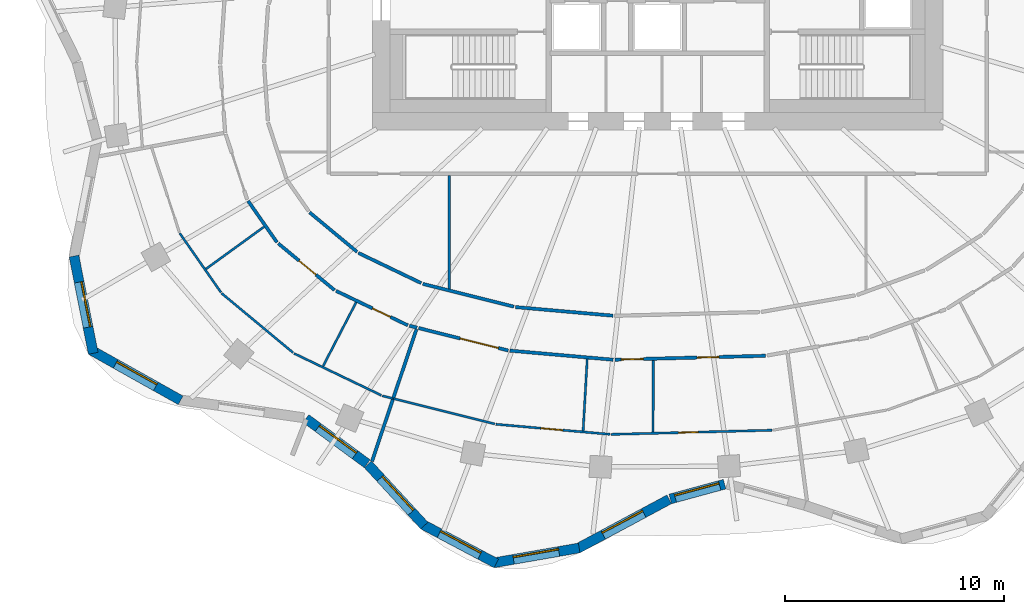
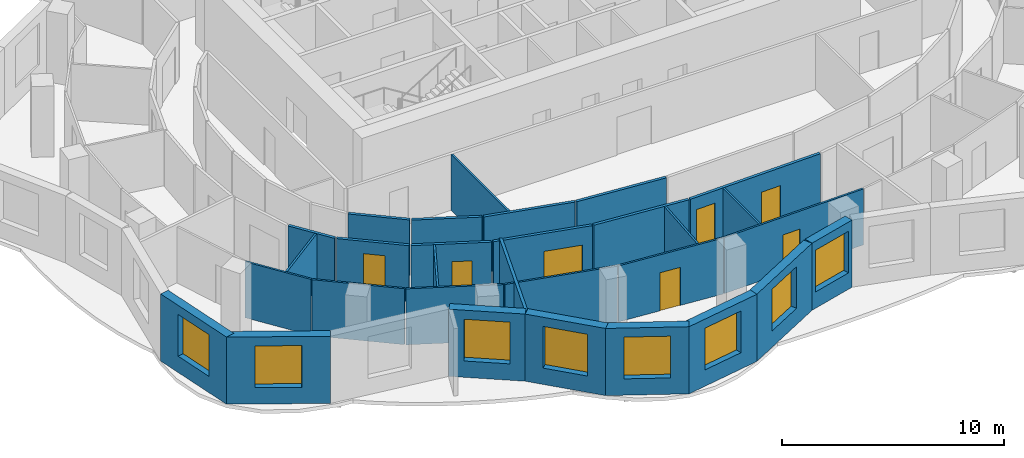
# One storey, part 3 of 11: 32 walls, 8 windows, 7 doors, 15 openings.
"""IFC4 building model written with IfcOpenShell, lengths in metres."""

from ifc_helpers import new_model, si_unit, direction, frame, frame_2d, origin, place, context, subcontext, project, spatial, rectangle, extrude, material, layer, layer_set, type_object, element, fill, save


model = new_model("IFC4")

# Units and contexts
model_context = context("Model", 3, precision=1e-05, world=origin(), true_north=direction((0.0, 1.0)))
body_context = subcontext(model_context, "Body", "Model", "MODEL_VIEW")
ifc_project = project(units=[si_unit("LENGTHUNIT", "METRE"), si_unit("AREAUNIT", "SQUARE_METRE"), si_unit("VOLUMEUNIT", "CUBIC_METRE"), si_unit("PLANEANGLEUNIT", "RADIAN"), si_unit("MASSUNIT", "GRAM", prefix="KILO")], contexts=[model_context])

# Site, building, storey
site_placement = place(None, origin())
site = spatial("IfcSite", under=ifc_project, at=site_placement, CompositionType="ELEMENT")
building_placement = place(site_placement, origin())
building = spatial("IfcBuilding", under=site, at=building_placement, Name="Rubra Terraces Tower", CompositionType="ELEMENT")
storey_placement = place(building_placement, frame((0.0, 0.0, 174.0)))
storey = spatial("IfcBuildingStorey", under=building, at=storey_placement, Name="L42", CompositionType="ELEMENT", Elevation=174.0)

# Wall, opening, window
ifc_material_1 = material(Name="Brick masonry red-brown", Category="masonry")
ifc_layer_1 = layer(ifc_material_1, 0.449951171875)
ifc_layer_set_1 = layer_set([ifc_layer_1], Name="Brick masonry red-brown")
wall_type_1 = type_object("IfcWallType", Name="Brick facade wall 450", PredefinedType="SOLIDWALL", material=ifc_layer_set_1)
wall_1_placement = place(storey_placement, frame((-26.609619140625, -8.747802734375, 0.0), z_axis=(0.0, 0.0, 1.0), x_axis=(0.193923166402, -0.981016720312, 0.0)))
wall_1 = element("IfcWall", 1, at=wall_1_placement, inside=storey, type_object=wall_type_1, Name="Facade wall L42 bay 23", PredefinedType="SOLIDWALL", context=body_context, shape_type="SweptSolid", body=[
    extrude(rectangle(XDim=4.518310546875, YDim=0.449951171875, at=frame_2d((2.25927734375, 0.0))), origin(), (0.0, 0.0, 1.0), 3.699951171875),
])
opening_1_placement = place(wall_1_placement, frame((1.209228515625, 0.0, 0.89990234375)))
opening_1 = element("IfcOpeningElement", 2, at=opening_1_placement, cuts=wall_1, Name="Opening W1B", PredefinedType="OPENING", context=body_context, shape_type="SweptSolid", body=[
    extrude(rectangle(XDim=2.10009765625, YDim=2.300048828125, at=frame_2d((1.050048828125, 1.14990234375))), frame((0.0, 0.23486328125, 0.0), z_axis=(0.0, -1.0, 0.0), x_axis=(1.0, 0.0, 0.0)), (0.0, 0.0, 1.0), 0.469970703125),
])
ifc_material_2 = material(Name="Clear glass in aluminium frame", Category="aluminium")
window_type = type_object("IfcWindowType", Name="Fixed deep-set window tall storey 2100 x 2300", PartitioningType="SINGLE_PANEL", PredefinedType="WINDOW", material=ifc_material_2)
window_1_placement = place(opening_1_placement, origin())
window_1 = element("IfcWindow", 3, at=window_1_placement, inside=storey, type_object=window_type, Name="Window L42 bay 23", OverallHeight=2.300048828125, OverallWidth=2.10009765625, PartitioningType="SINGLE_PANEL", PredefinedType="WINDOW", context=body_context, shape_type="SweptSolid", body=[
    extrude(rectangle(XDim=2.10009765625, YDim=2.300048828125, at=frame_2d((1.050048828125, 1.14990234375))), frame((0.0, 0.135009765625, 0.0), z_axis=(0.0, -1.0, 0.0), x_axis=(1.0, 0.0, 0.0)), (0.0, 0.0, 1.0), 0.06005859375),
])
fill(opening_1, window_1)

wall_2_placement = place(storey_placement, frame((-25.843994140625, -13.027587890625, 0.0), z_axis=(0.0, 0.0, 1.0), x_axis=(0.872346398261, -0.488888291373, 0.0)))
wall_2 = element("IfcWall", 4, at=wall_2_placement, inside=storey, type_object=wall_type_1, Name="Facade wall L42 bay 24", PredefinedType="SOLIDWALL", context=body_context, shape_type="SweptSolid", body=[
    extrude(rectangle(XDim=4.696044921875, YDim=0.449951171875, at=frame_2d((2.34814453125, 0.0))), origin(), (0.0, 0.0, 1.0), 3.699951171875),
])
opening_2_placement = place(wall_2_placement, frame((1.298095703125, 0.0, 0.89990234375)))
opening_2 = element("IfcOpeningElement", 5, at=opening_2_placement, cuts=wall_2, Name="Opening W1B", PredefinedType="OPENING", context=body_context, shape_type="SweptSolid", body=[
    extrude(rectangle(XDim=2.10009765625, YDim=2.300048828125, at=frame_2d((1.050048828125, 1.14990234375))), frame((0.0, 0.23486328125, 0.0), z_axis=(0.0, -1.0, 0.0), x_axis=(1.0, 0.0, 0.0)), (0.0, 0.0, 1.0), 0.469970703125),
])
window_2_placement = place(opening_2_placement, origin())
window_2 = element("IfcWindow", 6, at=window_2_placement, inside=storey, type_object=window_type, Name="Window L42 bay 24", OverallHeight=2.300048828125, OverallWidth=2.10009765625, PartitioningType="SINGLE_PANEL", PredefinedType="WINDOW", context=body_context, shape_type="SweptSolid", body=[
    extrude(rectangle(XDim=2.10009765625, YDim=2.300048828125, at=frame_2d((1.050048828125, 1.14990234375))), frame((0.0, 0.135009765625, 0.0), z_axis=(0.0, -1.0, 0.0), x_axis=(1.0, 0.0, 0.0)), (0.0, 0.0, 1.0), 0.06005859375),
])
fill(opening_2, window_2)

wall_3_placement = place(storey_placement, frame((-16.03564453125, -16.15771484375, 0.0), z_axis=(0.0, 0.0, 1.0), x_axis=(0.805181432967, -0.593028549064, 0.0)))
wall_3 = element("IfcWall", 7, at=wall_3_placement, inside=storey, type_object=wall_type_1, Name="Facade wall L42 bay 26", PredefinedType="SOLIDWALL", context=body_context, shape_type="SweptSolid", body=[
    extrude(rectangle(XDim=3.468505859375, YDim=0.449951171875, at=frame_2d((1.734375, 0.0))), origin(), (0.0, 0.0, 1.0), 3.699951171875),
])
opening_3_placement = place(wall_3_placement, frame((0.684326171875, 0.0, 0.89990234375)))
opening_3 = element("IfcOpeningElement", 8, at=opening_3_placement, cuts=wall_3, Name="Opening W1B", PredefinedType="OPENING", context=body_context, shape_type="SweptSolid", body=[
    extrude(rectangle(XDim=2.10009765625, YDim=2.300048828125, at=frame_2d((1.050048828125, 1.14990234375))), frame((0.0, 0.23486328125, 0.0), z_axis=(0.0, -1.0, 0.0), x_axis=(1.0, 0.0, 0.0)), (0.0, 0.0, 1.0), 0.469970703125),
])
window_3_placement = place(opening_3_placement, origin())
window_3 = element("IfcWindow", 9, at=window_3_placement, inside=storey, type_object=window_type, Name="Window L42 bay 26", OverallHeight=2.300048828125, OverallWidth=2.10009765625, PartitioningType="SINGLE_PANEL", PredefinedType="WINDOW", context=body_context, shape_type="SweptSolid", body=[
    extrude(rectangle(XDim=2.10009765625, YDim=2.300048828125, at=frame_2d((1.050048828125, 1.14990234375))), frame((0.0, 0.135009765625, 0.0), z_axis=(0.0, -1.0, 0.0), x_axis=(1.0, 0.0, 0.0)), (0.0, 0.0, 1.0), 0.06005859375),
])
fill(opening_3, window_3)

wall_4_placement = place(storey_placement, frame((-13.20947265625, -18.242919921875, 0.0), z_axis=(0.0, 0.0, 1.0), x_axis=(0.677612152497, -0.735419452278, 0.0)))
wall_4 = element("IfcWall", 10, at=wall_4_placement, inside=storey, type_object=wall_type_1, Name="Facade wall L42 bay 27", PredefinedType="SOLIDWALL", context=body_context, shape_type="SweptSolid", body=[
    extrude(rectangle(XDim=3.796875, YDim=0.449951171875, at=frame_2d((1.8984375, 0.0))), origin(), (0.0, 0.0, 1.0), 3.699951171875),
])
opening_4_placement = place(wall_4_placement, frame((0.848388671875, 0.0, 0.89990234375)))
opening_4 = element("IfcOpeningElement", 11, at=opening_4_placement, cuts=wall_4, Name="Opening W1B", PredefinedType="OPENING", context=body_context, shape_type="SweptSolid", body=[
    extrude(rectangle(XDim=2.10009765625, YDim=2.300048828125, at=frame_2d((1.050048828125, 1.14990234375))), frame((0.0, 0.23486328125, 0.0), z_axis=(0.0, -1.0, 0.0), x_axis=(1.0, 0.0, 0.0)), (0.0, 0.0, 1.0), 0.469970703125),
])
window_4_placement = place(opening_4_placement, origin())
window_4 = element("IfcWindow", 12, at=window_4_placement, inside=storey, type_object=window_type, Name="Window L42 bay 27", OverallHeight=2.300048828125, OverallWidth=2.10009765625, PartitioningType="SINGLE_PANEL", PredefinedType="WINDOW", context=body_context, shape_type="SweptSolid", body=[
    extrude(rectangle(XDim=2.10009765625, YDim=2.300048828125, at=frame_2d((1.050048828125, 1.14990234375))), frame((0.0, 0.135009765625, 0.0), z_axis=(0.0, -1.0, 0.0), x_axis=(1.0, 0.0, 0.0)), (0.0, 0.0, 1.0), 0.06005859375),
])
fill(opening_4, window_4)

wall_5_placement = place(storey_placement, frame((-10.692626953125, -20.9931640625, 0.0), z_axis=(0.0, 0.0, 1.0), x_axis=(0.883817790726, -0.46783128668, 0.0)))
wall_5 = element("IfcWall", 13, at=wall_5_placement, inside=storey, type_object=wall_type_1, Name="Facade wall L42 bay 28", PredefinedType="SOLIDWALL", context=body_context, shape_type="SweptSolid", body=[
    extrude(rectangle(XDim=3.776611328125, YDim=0.449951171875, at=frame_2d((1.88818359375, 0.0))), origin(), (0.0, 0.0, 1.0), 3.699951171875),
])
opening_5_placement = place(wall_5_placement, frame((0.83837890625, 0.0, 0.89990234375)))
opening_5 = element("IfcOpeningElement", 14, at=opening_5_placement, cuts=wall_5, Name="Opening W1B", PredefinedType="OPENING", context=body_context, shape_type="SweptSolid", body=[
    extrude(rectangle(XDim=2.10009765625, YDim=2.300048828125, at=frame_2d((1.050048828125, 1.14990234375))), frame((0.0, 0.23486328125, 0.0), z_axis=(0.0, -1.0, 0.0), x_axis=(1.0, 0.0, 0.0)), (0.0, 0.0, 1.0), 0.469970703125),
])
window_5_placement = place(opening_5_placement, origin())
window_5 = element("IfcWindow", 15, at=window_5_placement, inside=storey, type_object=window_type, Name="Window L42 bay 28", OverallHeight=2.300048828125, OverallWidth=2.10009765625, PartitioningType="SINGLE_PANEL", PredefinedType="WINDOW", context=body_context, shape_type="SweptSolid", body=[
    extrude(rectangle(XDim=2.10009765625, YDim=2.300048828125, at=frame_2d((1.050048828125, 1.14990234375))), frame((0.0, 0.135009765625, 0.0), z_axis=(0.0, -1.0, 0.0), x_axis=(1.0, 0.0, 0.0)), (0.0, 0.0, 1.0), 0.06005859375),
])
fill(opening_5, window_5)

wall_6_placement = place(storey_placement, frame((-7.49853515625, -22.7373046875, 0.0), z_axis=(0.0, 0.0, 1.0), x_axis=(0.98521220506, 0.171338585849, 0.0)))
wall_6 = element("IfcWall", 16, at=wall_6_placement, inside=storey, type_object=wall_type_1, Name="Facade wall L42 bay 29", PredefinedType="SOLIDWALL", context=body_context, shape_type="SweptSolid", body=[
    extrude(rectangle(XDim=3.979736328125, YDim=0.449951171875, at=frame_2d((1.98974609375, 0.0))), origin(), (0.0, 0.0, 1.0), 3.699951171875),
])
opening_6_placement = place(wall_6_placement, frame((0.93994140625, 0.0, 0.89990234375)))
opening_6 = element("IfcOpeningElement", 17, at=opening_6_placement, cuts=wall_6, Name="Opening W1B", PredefinedType="OPENING", context=body_context, shape_type="SweptSolid", body=[
    extrude(rectangle(XDim=2.10009765625, YDim=2.300048828125, at=frame_2d((1.050048828125, 1.14990234375))), frame((0.0, 0.23486328125, 0.0), z_axis=(0.0, -1.0, 0.0), x_axis=(1.0, 0.0, 0.0)), (0.0, 0.0, 1.0), 0.469970703125),
])
window_6_placement = place(opening_6_placement, origin())
window_6 = element("IfcWindow", 18, at=window_6_placement, inside=storey, type_object=window_type, Name="Window L42 bay 29", OverallHeight=2.300048828125, OverallWidth=2.10009765625, PartitioningType="SINGLE_PANEL", PredefinedType="WINDOW", context=body_context, shape_type="SweptSolid", body=[
    extrude(rectangle(XDim=2.10009765625, YDim=2.300048828125, at=frame_2d((1.050048828125, 1.14990234375))), frame((0.0, 0.135009765625, 0.0), z_axis=(0.0, -1.0, 0.0), x_axis=(1.0, 0.0, 0.0)), (0.0, 0.0, 1.0), 0.06005859375),
])
fill(opening_6, window_6)

wall_7_placement = place(storey_placement, frame((-3.6455078125, -22.07861328125, 0.0), z_axis=(0.0, 0.0, 1.0), x_axis=(0.881279133897, 0.472596115259, 0.0)))
wall_7 = element("IfcWall", 19, at=wall_7_placement, inside=storey, type_object=wall_type_1, Name="Facade wall L42 bay 30", PredefinedType="SOLIDWALL", context=body_context, shape_type="SweptSolid", body=[
    extrude(rectangle(XDim=4.736572265625, YDim=0.449951171875, at=frame_2d((2.3681640625, 0.0))), origin(), (0.0, 0.0, 1.0), 3.699951171875),
])
opening_7_placement = place(wall_7_placement, frame((1.318115234375, 0.0, 0.89990234375)))
opening_7 = element("IfcOpeningElement", 20, at=opening_7_placement, cuts=wall_7, Name="Opening W1B", PredefinedType="OPENING", context=body_context, shape_type="SweptSolid", body=[
    extrude(rectangle(XDim=2.10009765625, YDim=2.300048828125, at=frame_2d((1.050048828125, 1.14990234375))), frame((0.0, 0.23486328125, 0.0), z_axis=(0.0, -1.0, 0.0), x_axis=(1.0, 0.0, 0.0)), (0.0, 0.0, 1.0), 0.469970703125),
])
window_7_placement = place(opening_7_placement, origin())
window_7 = element("IfcWindow", 21, at=window_7_placement, inside=storey, type_object=window_type, Name="Window L42 bay 30", OverallHeight=2.300048828125, OverallWidth=2.10009765625, PartitioningType="SINGLE_PANEL", PredefinedType="WINDOW", context=body_context, shape_type="SweptSolid", body=[
    extrude(rectangle(XDim=2.10009765625, YDim=2.300048828125, at=frame_2d((1.050048828125, 1.14990234375))), frame((0.0, 0.135009765625, 0.0), z_axis=(0.0, -1.0, 0.0), x_axis=(1.0, 0.0, 0.0)), (0.0, 0.0, 1.0), 0.06005859375),
])
fill(opening_7, window_7)

wall_8_placement = place(storey_placement, frame((0.576171875, -19.8212890625, 0.0), z_axis=(0.0, 0.0, 1.0), x_axis=(0.965009398019, 0.262215296532, 0.0)))
wall_8 = element("IfcWall", 22, at=wall_8_placement, inside=storey, type_object=wall_type_1, Name="Facade wall L42 bay 31", PredefinedType="SOLIDWALL", context=body_context, shape_type="SweptSolid", body=[
    extrude(rectangle(XDim=2.565185546875, YDim=0.449951171875, at=frame_2d((1.28271484375, 0.0))), origin(), (0.0, 0.0, 1.0), 3.699951171875),
])
opening_8_placement = place(wall_8_placement, frame((0.232666015625, 0.0, 0.89990234375)))
opening_8 = element("IfcOpeningElement", 23, at=opening_8_placement, cuts=wall_8, Name="Opening W1B", PredefinedType="OPENING", context=body_context, shape_type="SweptSolid", body=[
    extrude(rectangle(XDim=2.10009765625, YDim=2.300048828125, at=frame_2d((1.050048828125, 1.14990234375))), frame((0.0, 0.23486328125, 0.0), z_axis=(0.0, -1.0, 0.0), x_axis=(1.0, 0.0, 0.0)), (0.0, 0.0, 1.0), 0.469970703125),
])
window_8_placement = place(opening_8_placement, origin())
window_8 = element("IfcWindow", 24, at=window_8_placement, inside=storey, type_object=window_type, Name="Window L42 bay 31", OverallHeight=2.300048828125, OverallWidth=2.10009765625, PartitioningType="SINGLE_PANEL", PredefinedType="WINDOW", context=body_context, shape_type="SweptSolid", body=[
    extrude(rectangle(XDim=2.10009765625, YDim=2.300048828125, at=frame_2d((1.050048828125, 1.14990234375))), frame((0.0, 0.135009765625, 0.0), z_axis=(0.0, -1.0, 0.0), x_axis=(1.0, 0.0, 0.0)), (0.0, 0.0, 1.0), 0.06005859375),
])
fill(opening_8, window_8)

# Wall
ifc_material_3 = material(Name="Plasterboard on steel stud, mineral wool infill", Category="steel")
ifc_layer_2 = layer(ifc_material_3, 0.14990234375)
ifc_layer_set_2 = layer_set([ifc_layer_2], Name="Plasterboard on steel stud, mineral wool infill")
wall_type_2 = type_object("IfcWallType", Name="CORRIDOR PARTITION 150", PredefinedType="PARTITIONING", material=ifc_layer_set_2)
wall_9_placement = place(storey_placement, frame((-18.673828125, -6.231689453125, 0.0), z_axis=(0.0, 0.0, 1.0), x_axis=(0.572118665737, -0.820170855563, 0.0)))
element("IfcWall", 25, at=wall_9_placement, inside=storey, type_object=wall_type_2, Name="PARTITION", PredefinedType="PARTITIONING", context=body_context, shape_type="SweptSolid", body=[
    extrude(rectangle(XDim=2.30615234375, YDim=0.14990234375, at=frame_2d((1.153076171875, 0.0))), origin(), (0.0, 0.0, 1.0), 3.083984375),
])

# Wall, opening, door
wall_10_placement = place(storey_placement, frame((-17.296875, -8.1708984375, 0.0), z_axis=(0.0, 0.0, 1.0), x_axis=(0.769228575061, -0.638973707839, 0.0)))
wall_10 = element("IfcWall", 26, at=wall_10_placement, inside=storey, type_object=wall_type_2, Name="PARTITION", PredefinedType="PARTITIONING", context=body_context, shape_type="SweptSolid", body=[
    extrude(rectangle(XDim=3.33447265625, YDim=0.14990234375, at=frame_2d((1.667236328125, 0.0))), origin(), (0.0, 0.0, 1.0), 3.083984375),
])
opening_9_placement = place(wall_10_placement, frame((1.23388671875, 0.0, 0.0)))
opening_9 = element("IfcOpeningElement", 27, at=opening_9_placement, cuts=wall_10, Name="Opening 42-115", PredefinedType="OPENING", context=body_context, shape_type="SweptSolid", body=[
    extrude(rectangle(XDim=1.0, YDim=2.39990234375, at=frame_2d((0.5, 1.199951171875))), frame((0.0, 0.0849609375, 0.0), z_axis=(0.0, -1.0, 0.0), x_axis=(1.0, 0.0, 0.0)), (0.0, 0.0, 1.0), 0.169921875),
])
ifc_material_4 = material(Name="Glazed aluminium meeting door leaf", Category="aluminium")
door_type_1 = type_object("IfcDoorType", Name="MEETING ROOM GLAZED DOOR 1000 X 2400", OperationType="SINGLE_SWING_LEFT", PredefinedType="DOOR", material=ifc_material_4)
door_1_placement = place(opening_9_placement, origin())
door_1 = element("IfcDoor", 28, at=door_1_placement, inside=storey, type_object=door_type_1, Name="DOOR 42-115", OperationType="SINGLE_SWING_RIGHT", OverallHeight=2.39990234375, OverallWidth=1.0, PredefinedType="DOOR", context=body_context, shape_type="SweptSolid", body=[
    extrude(rectangle(XDim=1.0, YDim=2.39990234375, at=frame_2d((0.5, 1.199951171875))), frame((0.0, 0.02490234375, 0.0), z_axis=(0.0, -1.0, 0.0), x_axis=(1.0, 0.0, 0.0)), (0.0, 0.0, 1.0), 0.050048828125),
])
fill(opening_9, door_1)

wall_11_placement = place(storey_placement, frame((-14.664306640625, -10.333984375, 0.0), z_axis=(0.0, 0.0, 1.0), x_axis=(0.901507315282, -0.432763862278, 0.0)))
wall_11 = element("IfcWall", 29, at=wall_11_placement, inside=storey, type_object=wall_type_2, Name="PARTITION", PredefinedType="PARTITIONING", context=body_context, shape_type="SweptSolid", body=[
    extrude(rectangle(XDim=3.63037109375, YDim=0.14990234375, at=frame_2d((1.815185546875, 0.0))), origin(), (0.0, 0.0, 1.0), 3.083984375),
])
opening_10_placement = place(wall_11_placement, frame((1.85009765625, 0.0, 0.0)))
opening_10 = element("IfcOpeningElement", 30, at=opening_10_placement, cuts=wall_11, Name="Opening 42-136", PredefinedType="OPENING", context=body_context, shape_type="SweptSolid", body=[
    extrude(rectangle(XDim=0.89990234375, YDim=2.10009765625, at=frame_2d((0.449951171875, 1.050048828125))), frame((0.0, 0.0849609375, 0.0), z_axis=(0.0, -1.0, 0.0), x_axis=(1.0, 0.0, 0.0)), (0.0, 0.0, 1.0), 0.169921875),
])
ifc_material_5 = material(Name="Painted timber door leaf", Category="wood")
door_type_2 = type_object("IfcDoorType", Name="BATHROOM DOOR 900 X 2100", OperationType="SINGLE_SWING_LEFT", PredefinedType="DOOR", material=ifc_material_5)
door_2_placement = place(opening_10_placement, origin())
door_2 = element("IfcDoor", 31, at=door_2_placement, inside=storey, type_object=door_type_2, Name="DOOR 42-136", OperationType="SINGLE_SWING_RIGHT", OverallHeight=2.10009765625, OverallWidth=0.89990234375, PredefinedType="DOOR", context=body_context, shape_type="SweptSolid", body=[
    extrude(rectangle(XDim=0.89990234375, YDim=2.10009765625, at=frame_2d((0.449951171875, 1.050048828125))), frame((0.0, 0.02490234375, 0.0), z_axis=(0.0, -1.0, 0.0), x_axis=(1.0, 0.0, 0.0)), (0.0, 0.0, 1.0), 0.050048828125),
])
fill(opening_10, door_2)

# Wall
wall_12_placement = place(storey_placement, frame((-11.318603515625, -11.923095703125, 0.0), z_axis=(0.0, 0.0, 1.0), x_axis=(0.969942256681, -0.243335198242, 0.0)))
element("IfcWall", 32, at=wall_12_placement, inside=storey, type_object=wall_type_2, Name="PARTITION", PredefinedType="PARTITIONING", context=body_context, shape_type="SweptSolid", body=[
    extrude(rectangle(XDim=0.359130859375, YDim=0.14990234375, at=frame_2d((0.1796875, 0.0))), origin(), (0.0, 0.0, 1.0), 3.083984375),
])

# Wall, opening, door
wall_13_placement = place(storey_placement, frame((-10.8974609375, -12.02880859375, 0.0), z_axis=(0.0, 0.0, 1.0), x_axis=(0.969999087169, -0.24310855783, 0.0)))
wall_13 = element("IfcWall", 33, at=wall_13_placement, inside=storey, type_object=wall_type_2, Name="PARTITION", PredefinedType="PARTITIONING", context=body_context, shape_type="SweptSolid", body=[
    extrude(rectangle(XDim=4.210693359375, YDim=0.14990234375, at=frame_2d((2.10546875, 0.0))), origin(), (0.0, 0.0, 1.0), 3.083984375),
])
opening_11_placement = place(wall_13_placement, frame((1.949951171875, 0.0, 0.0)))
opening_11 = element("IfcOpeningElement", 34, at=opening_11_placement, cuts=wall_13, Name="Opening 42-116", PredefinedType="OPENING", context=body_context, shape_type="SweptSolid", body=[
    extrude(rectangle(XDim=1.800048828125, YDim=2.10009765625, at=frame_2d((0.89990234375, 1.050048828125))), frame((0.0, 0.0849609375, 0.0), z_axis=(0.0, -1.0, 0.0), x_axis=(1.0, 0.0, 0.0)), (0.0, 0.0, 1.0), 0.169921875),
])
ifc_material_6 = material(Name="Painted timber door leaf, double", Category="wood")
door_type_3 = type_object("IfcDoorType", Name="ROOM DOUBLE DOOR 1800 X 2100", OperationType="DOUBLE_DOOR_SINGLE_SWING", PredefinedType="DOOR", material=ifc_material_6)
door_3_placement = place(opening_11_placement, origin())
door_3 = element("IfcDoor", 35, at=door_3_placement, inside=storey, type_object=door_type_3, Name="DOOR 42-116", OperationType="DOUBLE_DOOR_SINGLE_SWING", OverallHeight=2.10009765625, OverallWidth=1.800048828125, PredefinedType="DOOR", context=body_context, shape_type="SweptSolid", body=[
    extrude(rectangle(XDim=1.800048828125, YDim=2.10009765625, at=frame_2d((0.89990234375, 1.050048828125))), frame((0.0, 0.02490234375, 0.0), z_axis=(0.0, -1.0, 0.0), x_axis=(1.0, 0.0, 0.0)), (0.0, 0.0, 1.0), 0.050048828125),
])
fill(opening_11, door_3)

# Wall
wall_14_placement = place(storey_placement, frame((-6.73828125, -13.05908203125, 0.0), z_axis=(0.0, 0.0, 1.0), x_axis=(0.996143527037, -0.087738666181, 0.0)))
element("IfcWall", 36, at=wall_14_placement, inside=storey, type_object=wall_type_2, Name="PARTITION", PredefinedType="PARTITIONING", context=body_context, shape_type="SweptSolid", body=[
    extrude(rectangle(XDim=4.73046875, YDim=0.14990234375, at=frame_2d((2.365234375, 0.0))), origin(), (0.0, 0.0, 1.0), 3.083984375),
])

# Wall, openings, doors
wall_15_placement = place(storey_placement, frame((-1.951171875, -13.472412109375, 0.0), z_axis=(0.0, 0.0, 1.0), x_axis=(0.999663898238, 0.025924709429, 0.0)))
wall_15 = element("IfcWall", 37, at=wall_15_placement, inside=storey, type_object=wall_type_2, Name="PARTITION", PredefinedType="PARTITIONING", context=body_context, shape_type="SweptSolid", body=[
    extrude(rectangle(XDim=6.87451171875, YDim=0.14990234375, at=frame_2d((3.437255859375, 0.0))), origin(), (0.0, 0.0, 1.0), 3.083984375),
])
opening_12_placement = place(wall_15_placement, frame((0.300048828125, 0.0, 0.0)))
opening_12 = element("IfcOpeningElement", 38, at=opening_12_placement, cuts=wall_15, Name="Opening 42-117", PredefinedType="OPENING", context=body_context, shape_type="SweptSolid", body=[
    extrude(rectangle(XDim=1.0, YDim=2.39990234375, at=frame_2d((0.5, 1.199951171875))), frame((0.0, 0.0849609375, 0.0), z_axis=(0.0, -1.0, 0.0), x_axis=(1.0, 0.0, 0.0)), (0.0, 0.0, 1.0), 0.169921875),
])
opening_13_placement = place(wall_15_placement, frame((3.75, 0.0, 0.0)))
opening_13 = element("IfcOpeningElement", 39, at=opening_13_placement, cuts=wall_15, Name="Opening 42-138", PredefinedType="OPENING", context=body_context, shape_type="SweptSolid", body=[
    extrude(rectangle(XDim=1.0, YDim=2.10009765625, at=frame_2d((0.5, 1.050048828125))), frame((0.0, 0.0849609375, 0.0), z_axis=(0.0, -1.0, 0.0), x_axis=(1.0, 0.0, 0.0)), (0.0, 0.0, 1.0), 0.169921875),
])
door_4_placement = place(opening_12_placement, origin())
door_4 = element("IfcDoor", 40, at=door_4_placement, inside=storey, type_object=door_type_1, Name="DOOR 42-117", OperationType="SINGLE_SWING_RIGHT", OverallHeight=2.39990234375, OverallWidth=1.0, PredefinedType="DOOR", context=body_context, shape_type="SweptSolid", body=[
    extrude(rectangle(XDim=1.0, YDim=2.39990234375, at=frame_2d((0.5, 1.199951171875))), frame((0.0, 0.02490234375, 0.0), z_axis=(0.0, -1.0, 0.0), x_axis=(1.0, 0.0, 0.0)), (0.0, 0.0, 1.0), 0.050048828125),
])
fill(opening_12, door_4)
door_type_4 = type_object("IfcDoorType", Name="ROOM DOOR 1000 X 2100", OperationType="SINGLE_SWING_LEFT", PredefinedType="DOOR", material=ifc_material_5)
door_5_placement = place(opening_13_placement, origin())
door_5 = element("IfcDoor", 41, at=door_5_placement, inside=storey, type_object=door_type_4, Name="DOOR 42-138", OperationType="SINGLE_SWING_RIGHT", OverallHeight=2.10009765625, OverallWidth=1.0, PredefinedType="DOOR", context=body_context, shape_type="SweptSolid", body=[
    extrude(rectangle(XDim=1.0, YDim=2.10009765625, at=frame_2d((0.5, 1.050048828125))), frame((0.0, 0.02490234375, 0.0), z_axis=(0.0, -1.0, 0.0), x_axis=(1.0, 0.0, 0.0)), (0.0, 0.0, 1.0), 0.050048828125),
])
fill(opening_13, door_5)

# Walls
wall_16_placement = place(storey_placement, frame((-2.038818359375, -11.46533203125, 0.0), z_axis=(0.0, 0.0, 1.0), x_axis=(-0.996139855484, 0.087780341286, 0.0)))
element("IfcWall", 42, at=wall_16_placement, inside=storey, type_object=wall_type_2, Name="PARTITION", PredefinedType="PARTITIONING", context=body_context, shape_type="SweptSolid", body=[
    extrude(rectangle(XDim=4.458251953125, YDim=0.14990234375, at=frame_2d((2.22900390625, 0.0))), origin(), (0.0, 0.0, 1.0), 3.083984375),
])
wall_17_placement = place(storey_placement, frame((-6.552734375, -11.055908203125, 0.0), z_axis=(0.0, 0.0, 1.0), x_axis=(-0.970004917182, 0.243085294995, 0.0)))
element("IfcWall", 43, at=wall_17_placement, inside=storey, type_object=wall_type_2, Name="PARTITION", PredefinedType="PARTITIONING", context=body_context, shape_type="SweptSolid", body=[
    extrude(rectangle(XDim=4.284423828125, YDim=0.14990234375, at=frame_2d((2.14208984375, 0.0))), origin(), (0.0, 0.0, 1.0), 3.083984375),
])
wall_18_placement = place(storey_placement, frame((-10.7763671875, -9.981689453125, 0.0), z_axis=(0.0, 0.0, 1.0), x_axis=(-0.901511079436, 0.432756020933, 0.0)))
element("IfcWall", 44, at=wall_18_placement, inside=storey, type_object=wall_type_2, Name="PARTITION", PredefinedType="PARTITIONING", context=body_context, shape_type="SweptSolid", body=[
    extrude(rectangle(XDim=3.1806640625, YDim=0.14990234375, at=frame_2d((1.59033203125, 0.0))), origin(), (0.0, 0.0, 1.0), 3.083984375),
])
wall_19_placement = place(storey_placement, frame((-13.70166015625, -8.557373046875, 0.0), z_axis=(0.0, 0.0, 1.0), x_axis=(-0.769221825067, 0.638981833733, 0.0)))
element("IfcWall", 45, at=wall_19_placement, inside=storey, type_object=wall_type_2, Name="PARTITION", PredefinedType="PARTITIONING", context=body_context, shape_type="SweptSolid", body=[
    extrude(rectangle(XDim=2.8173828125, YDim=0.14990234375, at=frame_2d((1.40869140625, 0.0))), origin(), (0.0, 0.0, 1.0), 3.083984375),
])
ifc_material_7 = material(Name="Plasterboard on steel stud", Category="steel")
ifc_layer_3 = layer(ifc_material_7, 0.10009765625)
ifc_layer_set_3 = layer_set([ifc_layer_3], Name="Plasterboard on steel stud")
wall_type_3 = type_object("IfcWallType", Name="ROOM PARTITION 100", PredefinedType="PARTITIONING", material=ifc_layer_set_3)
wall_20_placement = place(storey_placement, frame((-12.07763671875, -15.23828125, 0.0), z_axis=(0.0, 0.0, 1.0), x_axis=(-0.970024978464, 0.243005228658, 0.0)))
element("IfcWall", 46, at=wall_20_placement, inside=storey, type_object=wall_type_3, Name="PARTITION", PredefinedType="PARTITIONING", context=body_context, shape_type="SweptSolid", body=[
    extrude(rectangle(XDim=0.4892578125, YDim=0.10009765625, at=frame_2d((0.24462890625, 0.0))), origin(), (0.0, 0.0, 1.0), 3.083984375),
])
wall_21_placement = place(storey_placement, frame((-12.597412109375, -15.09765625, 0.0), z_axis=(0.0, 0.0, 1.0), x_axis=(-0.901514437286, 0.432749025839, 0.0)))
element("IfcWall", 47, at=wall_21_placement, inside=storey, type_object=wall_type_3, Name="PARTITION", PredefinedType="PARTITIONING", context=body_context, shape_type="SweptSolid", body=[
    extrude(rectangle(XDim=4.419677734375, YDim=0.10009765625, at=frame_2d((2.2099609375, 0.0))), origin(), (0.0, 0.0, 1.0), 3.083984375),
])
wall_22_placement = place(storey_placement, frame((-16.6201171875, -13.153076171875, 0.0), z_axis=(0.0, 0.0, 1.0), x_axis=(-0.76922129881, 0.638982467253, 0.0)))
element("IfcWall", 48, at=wall_22_placement, inside=storey, type_object=wall_type_3, Name="PARTITION", PredefinedType="PARTITIONING", context=body_context, shape_type="SweptSolid", body=[
    extrude(rectangle(XDim=4.23828125, YDim=0.10009765625, at=frame_2d((2.119140625, 0.0))), origin(), (0.0, 0.0, 1.0), 3.083984375),
])
wall_23_placement = place(storey_placement, frame((-19.908935546875, -10.40380859375, 0.0), z_axis=(0.0, 0.0, 1.0), x_axis=(-0.572111951901, 0.820175538828, 0.0)))
element("IfcWall", 49, at=wall_23_placement, inside=storey, type_object=wall_type_3, Name="PARTITION", PredefinedType="PARTITIONING", context=body_context, shape_type="SweptSolid", body=[
    extrude(rectangle(XDim=3.2900390625, YDim=0.10009765625, at=frame_2d((1.64501953125, 0.0))), origin(), (0.0, 0.0, 1.0), 3.083984375),
])
wall_24_placement = place(storey_placement, frame((-17.9423828125, -7.41162109375, 0.0), z_axis=(0.0, 0.0, 1.0), x_axis=(-0.809425321456, -0.587222827372, 0.0)))
element("IfcWall", 50, at=wall_24_placement, inside=storey, type_object=wall_type_3, Name="PARTITION", PredefinedType="PARTITIONING", context=body_context, shape_type="SweptSolid", body=[
    extrude(rectangle(XDim=3.275390625, YDim=0.10009765625, at=frame_2d((1.6376953125, 0.0))), origin(), (0.0, 0.0, 1.0), 3.083984375),
])
wall_25_placement = place(storey_placement, frame((-13.7470703125, -10.857421875, 0.0), z_axis=(0.0, 0.0, 1.0), x_axis=(-0.460160569956, -0.887835711074, 0.0)))
element("IfcWall", 51, at=wall_25_placement, inside=storey, type_object=wall_type_3, Name="PARTITION", PredefinedType="PARTITIONING", context=body_context, shape_type="SweptSolid", body=[
    extrude(rectangle(XDim=3.276611328125, YDim=0.10009765625, at=frame_2d((1.63818359375, 0.0))), origin(), (0.0, 0.0, 1.0), 3.083984375),
])

# Wall, opening, door
wall_26_placement = place(storey_placement, frame((5.2138671875, -16.687744140625, 0.0), z_axis=(0.0, 0.0, 1.0), x_axis=(-0.999664981446, -0.025882906921, 0.0)))
wall_26 = element("IfcWall", 52, at=wall_26_placement, inside=storey, type_object=wall_type_3, Name="PARTITION", PredefinedType="PARTITIONING", context=body_context, shape_type="SweptSolid", body=[
    extrude(rectangle(XDim=7.347900390625, YDim=0.10009765625, at=frame_2d((3.673828125, 0.0))), origin(), (0.0, 0.0, 1.0), 3.083984375),
])
opening_14_placement = place(wall_26_placement, frame((3.364013671875, 0.0, 0.0)))
opening_14 = element("IfcOpeningElement", 53, at=opening_14_placement, cuts=wall_26, Name="Opening 42-118", PredefinedType="OPENING", context=body_context, shape_type="SweptSolid", body=[
    extrude(rectangle(XDim=0.89990234375, YDim=2.10009765625, at=frame_2d((0.449951171875, 1.050048828125))), frame((0.0, 0.06005859375, 0.0), z_axis=(0.0, -1.0, 0.0), x_axis=(1.0, 0.0, 0.0)), (0.0, 0.0, 1.0), 0.1201171875),
])
door_type_5 = type_object("IfcDoorType", Name="ROOM DOOR 900 X 2100", OperationType="SINGLE_SWING_LEFT", PredefinedType="DOOR", material=ifc_material_5)
door_6_placement = place(opening_14_placement, origin())
door_6 = element("IfcDoor", 54, at=door_6_placement, inside=storey, type_object=door_type_5, Name="DOOR 42-118", OperationType="SINGLE_SWING_LEFT", OverallHeight=2.10009765625, OverallWidth=0.89990234375, PredefinedType="DOOR", context=body_context, shape_type="SweptSolid", body=[
    extrude(rectangle(XDim=0.89990234375, YDim=2.10009765625, at=frame_2d((0.449951171875, 1.050048828125))), frame((0.0, 0.02490234375, 0.0), z_axis=(0.0, -1.0, 0.0), x_axis=(1.0, 0.0, 0.0)), (0.0, 0.0, 1.0), 0.050048828125),
])
fill(opening_14, door_6)

wall_27_placement = place(storey_placement, frame((-2.181396484375, -16.87353515625, 0.0), z_axis=(0.0, 0.0, 1.0), x_axis=(-0.996143934904, 0.087734035321, 0.0)))
wall_27 = element("IfcWall", 55, at=wall_27_placement, inside=storey, type_object=wall_type_3, Name="PARTITION", PredefinedType="PARTITIONING", context=body_context, shape_type="SweptSolid", body=[
    extrude(rectangle(XDim=5.217529296875, YDim=0.10009765625, at=frame_2d((2.60888671875, 0.0))), origin(), (0.0, 0.0, 1.0), 3.083984375),
])
opening_15_placement = place(wall_27_placement, frame((2.14990234375, 0.0, 0.0)))
opening_15 = element("IfcOpeningElement", 56, at=opening_15_placement, cuts=wall_27, Name="Opening 42-137", PredefinedType="OPENING", context=body_context, shape_type="SweptSolid", body=[
    extrude(rectangle(XDim=1.0, YDim=2.10009765625, at=frame_2d((0.5, 1.050048828125))), frame((0.0, 0.06005859375, 0.0), z_axis=(0.0, -1.0, 0.0), x_axis=(1.0, 0.0, 0.0)), (0.0, 0.0, 1.0), 0.1201171875),
])
door_7_placement = place(opening_15_placement, origin())
door_7 = element("IfcDoor", 57, at=door_7_placement, inside=storey, type_object=door_type_4, Name="DOOR 42-137", OperationType="SINGLE_SWING_LEFT", OverallHeight=2.10009765625, OverallWidth=1.0, PredefinedType="DOOR", context=body_context, shape_type="SweptSolid", body=[
    extrude(rectangle(XDim=1.0, YDim=2.10009765625, at=frame_2d((0.5, 1.050048828125))), frame((0.0, 0.02490234375, 0.0), z_axis=(0.0, -1.0, 0.0), x_axis=(1.0, 0.0, 0.0)), (0.0, 0.0, 1.0), 0.050048828125),
])
fill(opening_15, door_7)

# Walls
wall_28_placement = place(storey_placement, frame((-7.427490234375, -16.403564453125, 0.0), z_axis=(0.0, 0.0, 1.0), x_axis=(-0.970009433409, 0.243067272783, 0.0)))
element("IfcWall", 58, at=wall_28_placement, inside=storey, type_object=wall_type_3, Name="PARTITION", PredefinedType="PARTITIONING", context=body_context, shape_type="SweptSolid", body=[
    extrude(rectangle(XDim=4.75390625, YDim=0.10009765625, at=frame_2d((2.376953125, 0.0))), origin(), (0.0, 0.0, 1.0), 3.083984375),
])
wall_29_placement = place(storey_placement, frame((-3.211181640625, -13.445068359375, 0.0), z_axis=(0.0, 0.0, 1.0), x_axis=(-0.056703901856, -0.99839103938, 0.0)))
element("IfcWall", 59, at=wall_29_placement, inside=storey, type_object=wall_type_3, Name="PARTITION", PredefinedType="PARTITIONING", context=body_context, shape_type="SweptSolid", body=[
    extrude(rectangle(XDim=3.276611328125, YDim=0.10009765625, at=frame_2d((1.63818359375, 0.0))), origin(), (0.0, 0.0, 1.0), 3.083984375),
])
wall_30_placement = place(storey_placement, frame((-0.19921875, -13.501953125, 0.0), z_axis=(0.0, 0.0, 1.0), x_axis=(-0.002309978934, -0.999997331995, 0.0)))
element("IfcWall", 60, at=wall_30_placement, inside=storey, type_object=wall_type_3, Name="PARTITION", PredefinedType="PARTITIONING", context=body_context, shape_type="SweptSolid", body=[
    extrude(rectangle(XDim=3.2763671875, YDim=0.10009765625, at=frame_2d((1.63818359375, 0.0))), origin(), (0.0, 0.0, 1.0), 3.083984375),
])
wall_31_placement = place(storey_placement, frame((-9.5, -10.2421875, 0.0), z_axis=(0.0, 0.0, 1.0), x_axis=(0.0, 1.0, 0.0)))
element("IfcWall", 61, at=wall_31_placement, inside=storey, type_object=wall_type_3, Name="PARTITION", PredefinedType="PARTITIONING", context=body_context, shape_type="SweptSolid", body=[
    extrude(rectangle(XDim=5.167236328125, YDim=0.10009765625, at=frame_2d((2.58349609375, 0.0))), origin(), (0.0, 0.0, 1.0), 3.083984375),
])
ifc_layer_4 = layer(ifc_material_7, 0.14990234375)
ifc_layer_set_4 = layer_set([ifc_layer_4], Name="Plasterboard on steel stud")
wall_type_4 = type_object("IfcWallType", Name="ROOM PARTITION 150", PredefinedType="PARTITIONING", material=ifc_layer_set_4)
wall_32_placement = place(storey_placement, frame((-13.024169921875, -18.112060546875, 0.0), z_axis=(0.0, 0.0, 1.0), x_axis=(0.319081027508, 0.947727438605, 0.0)))
element("IfcWall", 62, at=wall_32_placement, inside=storey, type_object=wall_type_4, Name="PARTITION", PredefinedType="PARTITIONING", context=body_context, shape_type="SweptSolid", body=[
    extrude(rectangle(XDim=6.36279296875, YDim=0.14990234375, at=frame_2d((3.181396484375, 0.0))), origin(), (0.0, 0.0, 1.0), 3.23388671875),
])

save(model, "model.ifc")
